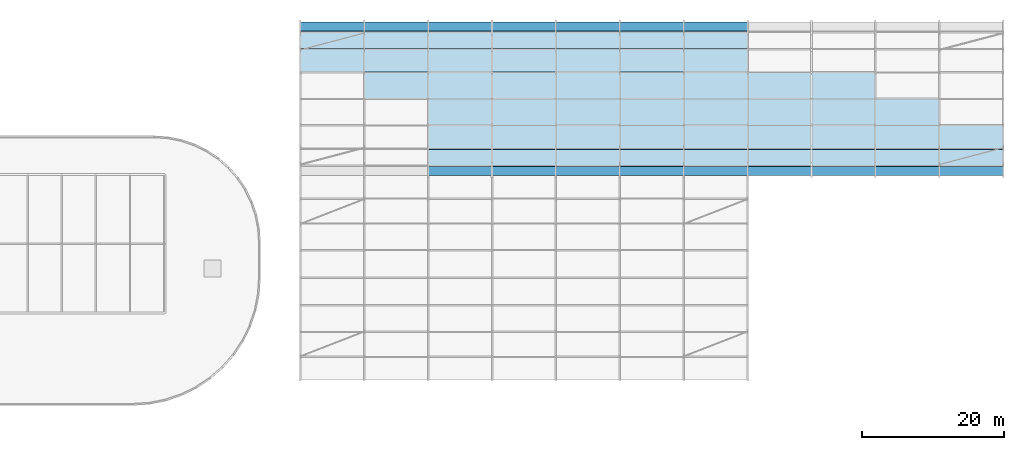
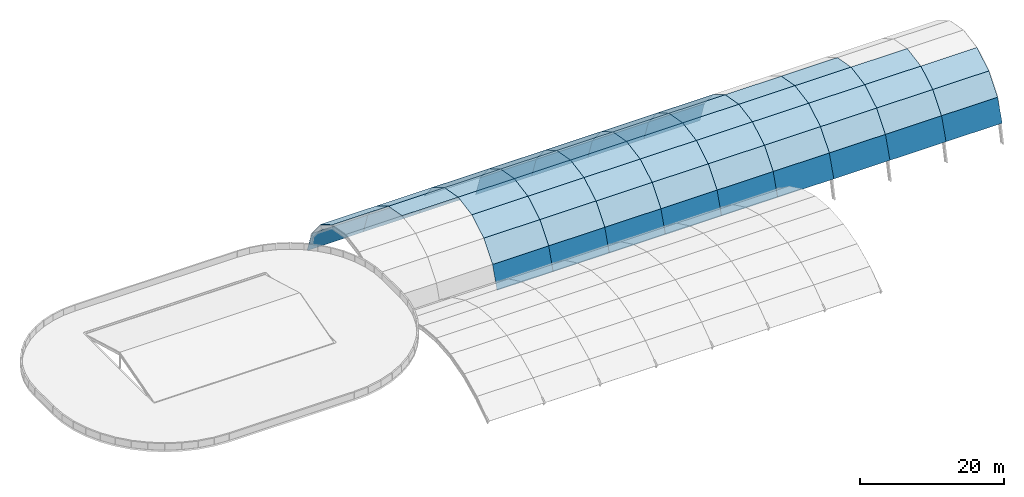
# One storey, part 13 of 15: 64 roofs.
"""IFC4 building model written with IfcOpenShell, lengths in metres."""

from ifc_helpers import new_model, si_unit, direction, frame, origin, place, context, subcontext, project, spatial, polyline, outline, extrude, material, layer, layer_set, type_object, element, save


model = new_model("IFC4")

# Units and contexts
model_context = context("Model", 3, precision=1e-05, world=origin(), true_north=direction((0.0, 1.0)))
body_context = subcontext(model_context, "Body", "Model", "MODEL_VIEW")
ifc_project = project(units=[si_unit("LENGTHUNIT", "METRE"), si_unit("AREAUNIT", "SQUARE_METRE"), si_unit("VOLUMEUNIT", "CUBIC_METRE"), si_unit("PLANEANGLEUNIT", "RADIAN"), si_unit("MASSUNIT", "GRAM", prefix="KILO")], contexts=[model_context])

# Site, building, storey
site_placement = place(None, origin())
site = spatial("IfcSite", under=ifc_project, at=site_placement, CompositionType="ELEMENT")
building_placement = place(site_placement, origin())
building = spatial("IfcBuilding", under=site, at=building_placement, Name="Cendralis Terraced Arcade", CompositionType="ELEMENT")
storey_placement = place(building_placement, frame((0.0, 0.0, 34.199951171875)))
storey = spatial("IfcBuildingStorey", under=building, at=storey_placement, Name="RF", CompositionType="ELEMENT", Elevation=34.199951171875)

# Roofs
ifc_material = material(Name="Tempered solar control laminated glass", Category="glass")
ifc_layer = layer(ifc_material, 0.048095703125, Name="ROOF-BARREL-GLZ")
ifc_layer_set = layer_set([ifc_layer], Name="Tempered solar control laminated glass")
roof_type = type_object("IfcRoofType", Name="ROOF-BARREL-GLZ", PredefinedType="BARREL_ROOF", material=ifc_layer_set)
roof_1_placement = place(storey_placement, frame((67.199951171875, 52.99169921875, -7.230712890625), z_axis=(0.0, 0.506804057178, 0.862061278349), x_axis=(1.0, 0.0, 0.0)))
element("IfcRoof", 1, at=roof_1_placement, inside=storey, type_object=roof_type, Name="Shopping Arcade Barrel Vault Roof Shell B01-F6", PredefinedType="BARREL_ROOF", context=body_context, shape_type="SweptSolid", body=[
    extrude(outline(polyline([(0.0, 0.0), (9.0, 0.0), (9.0, 3.851880050784614), (0.0, 3.851880050784614), (0.0, 0.0)])), origin(), (0.0, 0.0, -1.0), 0.048095703125),
])
roof_2_placement = place(storey_placement, frame((67.199951171875, 56.312255859375, -9.182861328125), z_axis=(0.0, 0.774408938731, 0.632685384385), x_axis=(1.0, 0.0, 0.0)))
element("IfcRoof", 2, at=roof_2_placement, inside=storey, type_object=roof_type, Name="Shopping Arcade Barrel Vault Roof Shell B01-F7", PredefinedType="BARREL_ROOF", context=body_context, shape_type="SweptSolid", body=[
    extrude(outline(polyline([(0.0, 0.0), (9.0, 0.0), (9.0, 3.851853984457903), (0.0, 3.851853984457903), (0.0, 0.0)])), origin(), (0.0, 0.0, -1.0), 0.048095703125),
])
roof_3_placement = place(storey_placement, frame((67.199951171875, 58.749267578125, -12.165771484375), z_axis=(0.0, 0.945818650348, 0.324695365927), x_axis=(1.0, 0.0, 0.0)))
element("IfcRoof", 3, at=roof_3_placement, inside=storey, type_object=roof_type, Name="Shopping Arcade Barrel Vault Roof Shell B01-F8", PredefinedType="BARREL_ROOF", context=body_context, shape_type="SweptSolid", body=[
    extrude(outline(polyline([(0.0, 0.0), (9.0, 0.0), (9.0, 3.852018085640294), (0.0, 3.852018085640294), (0.0, 0.0)])), origin(), (0.0, 0.0, -1.0), 0.048095703125),
])
roof_4_placement = place(storey_placement, frame((76.199951171875, 49.199951171875, -6.552001953125), z_axis=(0.0, 0.176196443672, 0.984355023981), x_axis=(1.0, 0.0, 0.0)))
element("IfcRoof", 4, at=roof_4_placement, inside=storey, type_object=roof_type, Name="Shopping Arcade Barrel Vault Roof Shell B02-F5", PredefinedType="BARREL_ROOF", context=body_context, shape_type="SweptSolid", body=[
    extrude(outline(polyline([(0.0, 0.0), (9.0, 0.0), (9.0, 3.8520126930816962), (0.0, 3.8520126930816962), (0.0, 0.0)])), origin(), (0.0, 0.0, -1.0), 0.048095703125),
])
roof_5_placement = place(storey_placement, frame((76.199951171875, 52.99169921875, -7.230712890625), z_axis=(0.0, 0.506804057178, 0.862061278349), x_axis=(1.0, 0.0, 0.0)))
element("IfcRoof", 5, at=roof_5_placement, inside=storey, type_object=roof_type, Name="Shopping Arcade Barrel Vault Roof Shell B02-F6", PredefinedType="BARREL_ROOF", context=body_context, shape_type="SweptSolid", body=[
    extrude(outline(polyline([(0.0, 0.0), (9.0, 0.0), (9.0, 3.851880050784614), (0.0, 3.851880050784614), (0.0, 0.0)])), origin(), (0.0, 0.0, -1.0), 0.048095703125),
])
roof_6_placement = place(storey_placement, frame((76.199951171875, 56.312255859375, -9.182861328125), z_axis=(0.0, 0.774408938731, 0.632685384385), x_axis=(1.0, 0.0, 0.0)))
element("IfcRoof", 6, at=roof_6_placement, inside=storey, type_object=roof_type, Name="Shopping Arcade Barrel Vault Roof Shell B02-F7", PredefinedType="BARREL_ROOF", context=body_context, shape_type="SweptSolid", body=[
    extrude(outline(polyline([(0.0, 0.0), (9.0, 0.0), (9.0, 3.851853984457903), (0.0, 3.851853984457903), (0.0, 0.0)])), origin(), (0.0, 0.0, -1.0), 0.048095703125),
])
for number, where, z_axis, x_axis, name in (
    (7, (76.199951171875, 58.749267578125, -12.165771484375), (0.0, 0.945818650348, 0.324695365927), (1.0, 0.0, 0.0), "Shopping Arcade Barrel Vault Roof Shell B02-F8"),
    (8, (85.199951171875, 38.39990234375, -15.80908203125), (0.0, -0.945818650348, 0.324695365927), (1.0, 0.0, 0.0), "Shopping Arcade Barrel Vault Roof Shell B03-F1"),
):
    element("IfcRoof", number, at=place(storey_placement, frame(where, z_axis=z_axis, x_axis=x_axis)), inside=storey, type_object=roof_type, Name=name, PredefinedType="BARREL_ROOF", context=body_context, shape_type="SweptSolid", body=[
        extrude(outline(polyline([(0.0, 0.0), (9.0, 0.0), (9.0, 3.852018085640294), (0.0, 3.852018085640294), (0.0, 0.0)])), origin(), (0.0, 0.0, -1.0), 0.048095703125),
    ])
roof_7_placement = place(storey_placement, frame((85.199951171875, 39.650634765625, -12.165771484375), z_axis=(0.0, -0.774377884268, 0.632723393243), x_axis=(1.0, 0.0, 0.0)))
element("IfcRoof", 9, at=roof_7_placement, inside=storey, type_object=roof_type, Name="Shopping Arcade Barrel Vault Roof Shell B03-F2", PredefinedType="BARREL_ROOF", context=body_context, shape_type="SweptSolid", body=[
    extrude(outline(polyline([(0.0, 0.0), (9.0, 0.0), (9.0, 3.852008453302922), (0.0, 3.852008453302922), (0.0, 0.0)])), origin(), (0.0, 0.0, -1.0), 0.048095703125),
])
roof_8_placement = place(storey_placement, frame((85.199951171875, 42.087890625, -9.182861328125), z_axis=(0.0, -0.506804057178, 0.862061278349), x_axis=(1.0, 0.0, 0.0)))
element("IfcRoof", 10, at=roof_8_placement, inside=storey, type_object=roof_type, Name="Shopping Arcade Barrel Vault Roof Shell B03-F3", PredefinedType="BARREL_ROOF", context=body_context, shape_type="SweptSolid", body=[
    extrude(outline(polyline([(0.0, 0.0), (9.0, 0.0), (9.0, 3.851880050784614), (0.0, 3.851880050784614), (0.0, 0.0)])), origin(), (0.0, 0.0, -1.0), 0.048095703125),
])
roof_9_placement = place(storey_placement, frame((85.199951171875, 45.408447265625, -7.230712890625), z_axis=(0.0, -0.176207436967, 0.984353056153), x_axis=(1.0, 0.0, 0.0)))
element("IfcRoof", 11, at=roof_9_placement, inside=storey, type_object=roof_type, Name="Shopping Arcade Barrel Vault Roof Shell B03-F4", PredefinedType="BARREL_ROOF", context=body_context, shape_type="SweptSolid", body=[
    extrude(outline(polyline([(0.0, 0.0), (9.0, 0.0), (9.0, 3.8517723722711263), (0.0, 3.8517723722711263), (0.0, 0.0)])), origin(), (0.0, 0.0, -1.0), 0.048095703125),
])
roof_10_placement = place(storey_placement, frame((85.199951171875, 49.199951171875, -6.552001953125), z_axis=(0.0, 0.176196443672, 0.984355023981), x_axis=(1.0, 0.0, 0.0)))
element("IfcRoof", 12, at=roof_10_placement, inside=storey, type_object=roof_type, Name="Shopping Arcade Barrel Vault Roof Shell B03-F5", PredefinedType="BARREL_ROOF", context=body_context, shape_type="SweptSolid", body=[
    extrude(outline(polyline([(0.0, 0.0), (9.0, 0.0), (9.0, 3.8520126930816962), (0.0, 3.8520126930816962), (0.0, 0.0)])), origin(), (0.0, 0.0, -1.0), 0.048095703125),
])
roof_11_placement = place(storey_placement, frame((85.199951171875, 52.99169921875, -7.230712890625), z_axis=(0.0, 0.506804057178, 0.862061278349), x_axis=(1.0, 0.0, 0.0)))
element("IfcRoof", 13, at=roof_11_placement, inside=storey, type_object=roof_type, Name="Shopping Arcade Barrel Vault Roof Shell B03-F6", PredefinedType="BARREL_ROOF", context=body_context, shape_type="SweptSolid", body=[
    extrude(outline(polyline([(0.0, 0.0), (9.0, 0.0), (9.0, 3.851880050784614), (0.0, 3.851880050784614), (0.0, 0.0)])), origin(), (0.0, 0.0, -1.0), 0.048095703125),
])
roof_12_placement = place(storey_placement, frame((85.199951171875, 56.312255859375, -9.182861328125), z_axis=(0.0, 0.774408938731, 0.632685384385), x_axis=(1.0, 0.0, 0.0)))
element("IfcRoof", 14, at=roof_12_placement, inside=storey, type_object=roof_type, Name="Shopping Arcade Barrel Vault Roof Shell B03-F7", PredefinedType="BARREL_ROOF", context=body_context, shape_type="SweptSolid", body=[
    extrude(outline(polyline([(0.0, 0.0), (9.0, 0.0), (9.0, 3.851853984457903), (0.0, 3.851853984457903), (0.0, 0.0)])), origin(), (0.0, 0.0, -1.0), 0.048095703125),
])
for number, where, z_axis, x_axis, name in (
    (15, (85.199951171875, 58.749267578125, -12.165771484375), (0.0, 0.945818650348, 0.324695365927), (1.0, 0.0, 0.0), "Shopping Arcade Barrel Vault Roof Shell B03-F8"),
    (16, (94.199951171875, 38.39990234375, -15.80908203125), (0.0, -0.945818650348, 0.324695365927), (1.0, 0.0, 0.0), "Shopping Arcade Barrel Vault Roof Shell B04-F1"),
):
    element("IfcRoof", number, at=place(storey_placement, frame(where, z_axis=z_axis, x_axis=x_axis)), inside=storey, type_object=roof_type, Name=name, PredefinedType="BARREL_ROOF", context=body_context, shape_type="SweptSolid", body=[
        extrude(outline(polyline([(0.0, 0.0), (9.0, 0.0), (9.0, 3.852018085640294), (0.0, 3.852018085640294), (0.0, 0.0)])), origin(), (0.0, 0.0, -1.0), 0.048095703125),
    ])
roof_13_placement = place(storey_placement, frame((94.199951171875, 39.650634765625, -12.165771484375), z_axis=(0.0, -0.774377884268, 0.632723393243), x_axis=(1.0, 0.0, 0.0)))
element("IfcRoof", 17, at=roof_13_placement, inside=storey, type_object=roof_type, Name="Shopping Arcade Barrel Vault Roof Shell B04-F2", PredefinedType="BARREL_ROOF", context=body_context, shape_type="SweptSolid", body=[
    extrude(outline(polyline([(0.0, 0.0), (9.0, 0.0), (9.0, 3.852008453302922), (0.0, 3.852008453302922), (0.0, 0.0)])), origin(), (0.0, 0.0, -1.0), 0.048095703125),
])
roof_14_placement = place(storey_placement, frame((94.199951171875, 42.087890625, -9.182861328125), z_axis=(0.0, -0.506804057178, 0.862061278349), x_axis=(1.0, 0.0, 0.0)))
element("IfcRoof", 18, at=roof_14_placement, inside=storey, type_object=roof_type, Name="Shopping Arcade Barrel Vault Roof Shell B04-F3", PredefinedType="BARREL_ROOF", context=body_context, shape_type="SweptSolid", body=[
    extrude(outline(polyline([(0.0, 0.0), (9.0, 0.0), (9.0, 3.851880050784614), (0.0, 3.851880050784614), (0.0, 0.0)])), origin(), (0.0, 0.0, -1.0), 0.048095703125),
])
roof_15_placement = place(storey_placement, frame((94.199951171875, 45.408447265625, -7.230712890625), z_axis=(0.0, -0.176207436967, 0.984353056153), x_axis=(1.0, 0.0, 0.0)))
element("IfcRoof", 19, at=roof_15_placement, inside=storey, type_object=roof_type, Name="Shopping Arcade Barrel Vault Roof Shell B04-F4", PredefinedType="BARREL_ROOF", context=body_context, shape_type="SweptSolid", body=[
    extrude(outline(polyline([(0.0, 0.0), (9.0, 0.0), (9.0, 3.8517723722711263), (0.0, 3.8517723722711263), (0.0, 0.0)])), origin(), (0.0, 0.0, -1.0), 0.048095703125),
])
roof_16_placement = place(storey_placement, frame((94.199951171875, 49.199951171875, -6.552001953125), z_axis=(0.0, 0.176196443672, 0.984355023981), x_axis=(1.0, 0.0, 0.0)))
element("IfcRoof", 20, at=roof_16_placement, inside=storey, type_object=roof_type, Name="Shopping Arcade Barrel Vault Roof Shell B04-F5", PredefinedType="BARREL_ROOF", context=body_context, shape_type="SweptSolid", body=[
    extrude(outline(polyline([(0.0, 0.0), (9.0, 0.0), (9.0, 3.8520126930816962), (0.0, 3.8520126930816962), (0.0, 0.0)])), origin(), (0.0, 0.0, -1.0), 0.048095703125),
])
roof_17_placement = place(storey_placement, frame((94.199951171875, 52.99169921875, -7.230712890625), z_axis=(0.0, 0.506804057178, 0.862061278349), x_axis=(1.0, 0.0, 0.0)))
element("IfcRoof", 21, at=roof_17_placement, inside=storey, type_object=roof_type, Name="Shopping Arcade Barrel Vault Roof Shell B04-F6", PredefinedType="BARREL_ROOF", context=body_context, shape_type="SweptSolid", body=[
    extrude(outline(polyline([(0.0, 0.0), (9.0, 0.0), (9.0, 3.851880050784614), (0.0, 3.851880050784614), (0.0, 0.0)])), origin(), (0.0, 0.0, -1.0), 0.048095703125),
])
roof_18_placement = place(storey_placement, frame((94.199951171875, 56.312255859375, -9.182861328125), z_axis=(0.0, 0.774408938731, 0.632685384385), x_axis=(1.0, 0.0, 0.0)))
element("IfcRoof", 22, at=roof_18_placement, inside=storey, type_object=roof_type, Name="Shopping Arcade Barrel Vault Roof Shell B04-F7", PredefinedType="BARREL_ROOF", context=body_context, shape_type="SweptSolid", body=[
    extrude(outline(polyline([(0.0, 0.0), (9.0, 0.0), (9.0, 3.851853984457903), (0.0, 3.851853984457903), (0.0, 0.0)])), origin(), (0.0, 0.0, -1.0), 0.048095703125),
])
for number, where, z_axis, x_axis, name in (
    (23, (94.199951171875, 58.749267578125, -12.165771484375), (0.0, 0.945818650348, 0.324695365927), (1.0, 0.0, 0.0), "Shopping Arcade Barrel Vault Roof Shell B04-F8"),
    (24, (103.199951171875, 38.39990234375, -15.80908203125), (0.0, -0.945818650348, 0.324695365927), (1.0, 0.0, 0.0), "Shopping Arcade Barrel Vault Roof Shell B05-F1"),
):
    element("IfcRoof", number, at=place(storey_placement, frame(where, z_axis=z_axis, x_axis=x_axis)), inside=storey, type_object=roof_type, Name=name, PredefinedType="BARREL_ROOF", context=body_context, shape_type="SweptSolid", body=[
        extrude(outline(polyline([(0.0, 0.0), (9.0, 0.0), (9.0, 3.852018085640294), (0.0, 3.852018085640294), (0.0, 0.0)])), origin(), (0.0, 0.0, -1.0), 0.048095703125),
    ])
roof_19_placement = place(storey_placement, frame((103.199951171875, 39.650634765625, -12.165771484375), z_axis=(0.0, -0.774377884268, 0.632723393243), x_axis=(1.0, 0.0, 0.0)))
element("IfcRoof", 25, at=roof_19_placement, inside=storey, type_object=roof_type, Name="Shopping Arcade Barrel Vault Roof Shell B05-F2", PredefinedType="BARREL_ROOF", context=body_context, shape_type="SweptSolid", body=[
    extrude(outline(polyline([(0.0, 0.0), (9.0, 0.0), (9.0, 3.852008453302922), (0.0, 3.852008453302922), (0.0, 0.0)])), origin(), (0.0, 0.0, -1.0), 0.048095703125),
])
roof_20_placement = place(storey_placement, frame((103.199951171875, 42.087890625, -9.182861328125), z_axis=(0.0, -0.506804057178, 0.862061278349), x_axis=(1.0, 0.0, 0.0)))
element("IfcRoof", 26, at=roof_20_placement, inside=storey, type_object=roof_type, Name="Shopping Arcade Barrel Vault Roof Shell B05-F3", PredefinedType="BARREL_ROOF", context=body_context, shape_type="SweptSolid", body=[
    extrude(outline(polyline([(0.0, 0.0), (9.0, 0.0), (9.0, 3.851880050784614), (0.0, 3.851880050784614), (0.0, 0.0)])), origin(), (0.0, 0.0, -1.0), 0.048095703125),
])
roof_21_placement = place(storey_placement, frame((103.199951171875, 45.408447265625, -7.230712890625), z_axis=(0.0, -0.176207436967, 0.984353056153), x_axis=(1.0, 0.0, 0.0)))
element("IfcRoof", 27, at=roof_21_placement, inside=storey, type_object=roof_type, Name="Shopping Arcade Barrel Vault Roof Shell B05-F4", PredefinedType="BARREL_ROOF", context=body_context, shape_type="SweptSolid", body=[
    extrude(outline(polyline([(0.0, 0.0), (9.0, 0.0), (9.0, 3.8517723722711263), (0.0, 3.8517723722711263), (0.0, 0.0)])), origin(), (0.0, 0.0, -1.0), 0.048095703125),
])
roof_22_placement = place(storey_placement, frame((103.199951171875, 49.199951171875, -6.552001953125), z_axis=(0.0, 0.176196443672, 0.984355023981), x_axis=(1.0, 0.0, 0.0)))
element("IfcRoof", 28, at=roof_22_placement, inside=storey, type_object=roof_type, Name="Shopping Arcade Barrel Vault Roof Shell B05-F5", PredefinedType="BARREL_ROOF", context=body_context, shape_type="SweptSolid", body=[
    extrude(outline(polyline([(0.0, 0.0), (9.0, 0.0), (9.0, 3.8520126930816962), (0.0, 3.8520126930816962), (0.0, 0.0)])), origin(), (0.0, 0.0, -1.0), 0.048095703125),
])
roof_23_placement = place(storey_placement, frame((103.199951171875, 52.99169921875, -7.230712890625), z_axis=(0.0, 0.506804057178, 0.862061278349), x_axis=(1.0, 0.0, 0.0)))
element("IfcRoof", 29, at=roof_23_placement, inside=storey, type_object=roof_type, Name="Shopping Arcade Barrel Vault Roof Shell B05-F6", PredefinedType="BARREL_ROOF", context=body_context, shape_type="SweptSolid", body=[
    extrude(outline(polyline([(0.0, 0.0), (9.0, 0.0), (9.0, 3.851880050784614), (0.0, 3.851880050784614), (0.0, 0.0)])), origin(), (0.0, 0.0, -1.0), 0.048095703125),
])
roof_24_placement = place(storey_placement, frame((103.199951171875, 56.312255859375, -9.182861328125), z_axis=(0.0, 0.774408938731, 0.632685384385), x_axis=(1.0, 0.0, 0.0)))
element("IfcRoof", 30, at=roof_24_placement, inside=storey, type_object=roof_type, Name="Shopping Arcade Barrel Vault Roof Shell B05-F7", PredefinedType="BARREL_ROOF", context=body_context, shape_type="SweptSolid", body=[
    extrude(outline(polyline([(0.0, 0.0), (9.0, 0.0), (9.0, 3.851853984457903), (0.0, 3.851853984457903), (0.0, 0.0)])), origin(), (0.0, 0.0, -1.0), 0.048095703125),
])
for number, where, z_axis, x_axis, name in (
    (31, (103.199951171875, 58.749267578125, -12.165771484375), (0.0, 0.945818650348, 0.324695365927), (1.0, 0.0, 0.0), "Shopping Arcade Barrel Vault Roof Shell B05-F8"),
    (32, (112.199951171875, 38.39990234375, -15.80908203125), (0.0, -0.945818650348, 0.324695365927), (1.0, 0.0, 0.0), "Shopping Arcade Barrel Vault Roof Shell B06-F1"),
):
    element("IfcRoof", number, at=place(storey_placement, frame(where, z_axis=z_axis, x_axis=x_axis)), inside=storey, type_object=roof_type, Name=name, PredefinedType="BARREL_ROOF", context=body_context, shape_type="SweptSolid", body=[
        extrude(outline(polyline([(0.0, 0.0), (9.0, 0.0), (9.0, 3.852018085640294), (0.0, 3.852018085640294), (0.0, 0.0)])), origin(), (0.0, 0.0, -1.0), 0.048095703125),
    ])
roof_25_placement = place(storey_placement, frame((112.199951171875, 39.650634765625, -12.165771484375), z_axis=(0.0, -0.774377884268, 0.632723393243), x_axis=(1.0, 0.0, 0.0)))
element("IfcRoof", 33, at=roof_25_placement, inside=storey, type_object=roof_type, Name="Shopping Arcade Barrel Vault Roof Shell B06-F2", PredefinedType="BARREL_ROOF", context=body_context, shape_type="SweptSolid", body=[
    extrude(outline(polyline([(0.0, 0.0), (9.0, 0.0), (9.0, 3.852008453302922), (0.0, 3.852008453302922), (0.0, 0.0)])), origin(), (0.0, 0.0, -1.0), 0.048095703125),
])
roof_26_placement = place(storey_placement, frame((112.199951171875, 42.087890625, -9.182861328125), z_axis=(0.0, -0.506804057178, 0.862061278349), x_axis=(1.0, 0.0, 0.0)))
element("IfcRoof", 34, at=roof_26_placement, inside=storey, type_object=roof_type, Name="Shopping Arcade Barrel Vault Roof Shell B06-F3", PredefinedType="BARREL_ROOF", context=body_context, shape_type="SweptSolid", body=[
    extrude(outline(polyline([(0.0, 0.0), (9.0, 0.0), (9.0, 3.851880050784614), (0.0, 3.851880050784614), (0.0, 0.0)])), origin(), (0.0, 0.0, -1.0), 0.048095703125),
])
roof_27_placement = place(storey_placement, frame((112.199951171875, 45.408447265625, -7.230712890625), z_axis=(0.0, -0.176207436967, 0.984353056153), x_axis=(1.0, 0.0, 0.0)))
element("IfcRoof", 35, at=roof_27_placement, inside=storey, type_object=roof_type, Name="Shopping Arcade Barrel Vault Roof Shell B06-F4", PredefinedType="BARREL_ROOF", context=body_context, shape_type="SweptSolid", body=[
    extrude(outline(polyline([(0.0, 0.0), (9.0, 0.0), (9.0, 3.8517723722711263), (0.0, 3.8517723722711263), (0.0, 0.0)])), origin(), (0.0, 0.0, -1.0), 0.048095703125),
])
roof_28_placement = place(storey_placement, frame((112.199951171875, 49.199951171875, -6.552001953125), z_axis=(0.0, 0.176196443672, 0.984355023981), x_axis=(1.0, 0.0, 0.0)))
element("IfcRoof", 36, at=roof_28_placement, inside=storey, type_object=roof_type, Name="Shopping Arcade Barrel Vault Roof Shell B06-F5", PredefinedType="BARREL_ROOF", context=body_context, shape_type="SweptSolid", body=[
    extrude(outline(polyline([(0.0, 0.0), (9.0, 0.0), (9.0, 3.8520126930816962), (0.0, 3.8520126930816962), (0.0, 0.0)])), origin(), (0.0, 0.0, -1.0), 0.048095703125),
])
roof_29_placement = place(storey_placement, frame((112.199951171875, 52.99169921875, -7.230712890625), z_axis=(0.0, 0.506804057178, 0.862061278349), x_axis=(1.0, 0.0, 0.0)))
element("IfcRoof", 37, at=roof_29_placement, inside=storey, type_object=roof_type, Name="Shopping Arcade Barrel Vault Roof Shell B06-F6", PredefinedType="BARREL_ROOF", context=body_context, shape_type="SweptSolid", body=[
    extrude(outline(polyline([(0.0, 0.0), (9.0, 0.0), (9.0, 3.851880050784614), (0.0, 3.851880050784614), (0.0, 0.0)])), origin(), (0.0, 0.0, -1.0), 0.048095703125),
])
roof_30_placement = place(storey_placement, frame((112.199951171875, 56.312255859375, -9.182861328125), z_axis=(0.0, 0.774408938731, 0.632685384385), x_axis=(1.0, 0.0, 0.0)))
element("IfcRoof", 38, at=roof_30_placement, inside=storey, type_object=roof_type, Name="Shopping Arcade Barrel Vault Roof Shell B06-F7", PredefinedType="BARREL_ROOF", context=body_context, shape_type="SweptSolid", body=[
    extrude(outline(polyline([(0.0, 0.0), (9.0, 0.0), (9.0, 3.851853984457903), (0.0, 3.851853984457903), (0.0, 0.0)])), origin(), (0.0, 0.0, -1.0), 0.048095703125),
])
for number, where, z_axis, x_axis, name in (
    (39, (112.199951171875, 58.749267578125, -12.165771484375), (0.0, 0.945818650348, 0.324695365927), (1.0, 0.0, 0.0), "Shopping Arcade Barrel Vault Roof Shell B06-F8"),
    (40, (121.199951171875, 38.39990234375, -15.80908203125), (0.0, -0.945818650348, 0.324695365927), (1.0, 0.0, 0.0), "Shopping Arcade Barrel Vault Roof Shell B07-F1"),
):
    element("IfcRoof", number, at=place(storey_placement, frame(where, z_axis=z_axis, x_axis=x_axis)), inside=storey, type_object=roof_type, Name=name, PredefinedType="BARREL_ROOF", context=body_context, shape_type="SweptSolid", body=[
        extrude(outline(polyline([(0.0, 0.0), (9.0, 0.0), (9.0, 3.852018085640294), (0.0, 3.852018085640294), (0.0, 0.0)])), origin(), (0.0, 0.0, -1.0), 0.048095703125),
    ])
roof_31_placement = place(storey_placement, frame((121.199951171875, 39.650634765625, -12.165771484375), z_axis=(0.0, -0.774377884268, 0.632723393243), x_axis=(1.0, 0.0, 0.0)))
element("IfcRoof", 41, at=roof_31_placement, inside=storey, type_object=roof_type, Name="Shopping Arcade Barrel Vault Roof Shell B07-F2", PredefinedType="BARREL_ROOF", context=body_context, shape_type="SweptSolid", body=[
    extrude(outline(polyline([(0.0, 0.0), (9.0, 0.0), (9.0, 3.852008453302922), (0.0, 3.852008453302922), (0.0, 0.0)])), origin(), (0.0, 0.0, -1.0), 0.048095703125),
])
roof_32_placement = place(storey_placement, frame((121.199951171875, 42.087890625, -9.182861328125), z_axis=(0.0, -0.506804057178, 0.862061278349), x_axis=(1.0, 0.0, 0.0)))
element("IfcRoof", 42, at=roof_32_placement, inside=storey, type_object=roof_type, Name="Shopping Arcade Barrel Vault Roof Shell B07-F3", PredefinedType="BARREL_ROOF", context=body_context, shape_type="SweptSolid", body=[
    extrude(outline(polyline([(0.0, 0.0), (9.0, 0.0), (9.0, 3.851880050784614), (0.0, 3.851880050784614), (0.0, 0.0)])), origin(), (0.0, 0.0, -1.0), 0.048095703125),
])
roof_33_placement = place(storey_placement, frame((121.199951171875, 45.408447265625, -7.230712890625), z_axis=(0.0, -0.176207436967, 0.984353056153), x_axis=(1.0, 0.0, 0.0)))
element("IfcRoof", 43, at=roof_33_placement, inside=storey, type_object=roof_type, Name="Shopping Arcade Barrel Vault Roof Shell B07-F4", PredefinedType="BARREL_ROOF", context=body_context, shape_type="SweptSolid", body=[
    extrude(outline(polyline([(0.0, 0.0), (9.0, 0.0), (9.0, 3.8517723722711263), (0.0, 3.8517723722711263), (0.0, 0.0)])), origin(), (0.0, 0.0, -1.0), 0.048095703125),
])
roof_34_placement = place(storey_placement, frame((121.199951171875, 49.199951171875, -6.552001953125), z_axis=(0.0, 0.176196443672, 0.984355023981), x_axis=(1.0, 0.0, 0.0)))
element("IfcRoof", 44, at=roof_34_placement, inside=storey, type_object=roof_type, Name="Shopping Arcade Barrel Vault Roof Shell B07-F5", PredefinedType="BARREL_ROOF", context=body_context, shape_type="SweptSolid", body=[
    extrude(outline(polyline([(0.0, 0.0), (9.0, 0.0), (9.0, 3.8520126930816962), (0.0, 3.8520126930816962), (0.0, 0.0)])), origin(), (0.0, 0.0, -1.0), 0.048095703125),
])
roof_35_placement = place(storey_placement, frame((121.199951171875, 52.99169921875, -7.230712890625), z_axis=(0.0, 0.506804057178, 0.862061278349), x_axis=(1.0, 0.0, 0.0)))
element("IfcRoof", 45, at=roof_35_placement, inside=storey, type_object=roof_type, Name="Shopping Arcade Barrel Vault Roof Shell B07-F6", PredefinedType="BARREL_ROOF", context=body_context, shape_type="SweptSolid", body=[
    extrude(outline(polyline([(0.0, 0.0), (9.0, 0.0), (9.0, 3.851880050784614), (0.0, 3.851880050784614), (0.0, 0.0)])), origin(), (0.0, 0.0, -1.0), 0.048095703125),
])
roof_36_placement = place(storey_placement, frame((121.199951171875, 56.312255859375, -9.182861328125), z_axis=(0.0, 0.774408938731, 0.632685384385), x_axis=(1.0, 0.0, 0.0)))
element("IfcRoof", 46, at=roof_36_placement, inside=storey, type_object=roof_type, Name="Shopping Arcade Barrel Vault Roof Shell B07-F7", PredefinedType="BARREL_ROOF", context=body_context, shape_type="SweptSolid", body=[
    extrude(outline(polyline([(0.0, 0.0), (9.0, 0.0), (9.0, 3.851853984457903), (0.0, 3.851853984457903), (0.0, 0.0)])), origin(), (0.0, 0.0, -1.0), 0.048095703125),
])
for number, where, z_axis, x_axis, name in (
    (47, (121.199951171875, 58.749267578125, -12.165771484375), (0.0, 0.945818650348, 0.324695365927), (1.0, 0.0, 0.0), "Shopping Arcade Barrel Vault Roof Shell B07-F8"),
    (48, (130.199951171875, 38.39990234375, -15.80908203125), (0.0, -0.945818650348, 0.324695365927), (1.0, 0.0, 0.0), "Shopping Arcade Barrel Vault Roof Shell B08-F1"),
):
    element("IfcRoof", number, at=place(storey_placement, frame(where, z_axis=z_axis, x_axis=x_axis)), inside=storey, type_object=roof_type, Name=name, PredefinedType="BARREL_ROOF", context=body_context, shape_type="SweptSolid", body=[
        extrude(outline(polyline([(0.0, 0.0), (9.0, 0.0), (9.0, 3.852018085640294), (0.0, 3.852018085640294), (0.0, 0.0)])), origin(), (0.0, 0.0, -1.0), 0.048095703125),
    ])
roof_37_placement = place(storey_placement, frame((130.199951171875, 39.650634765625, -12.165771484375), z_axis=(0.0, -0.774377884268, 0.632723393243), x_axis=(1.0, 0.0, 0.0)))
element("IfcRoof", 49, at=roof_37_placement, inside=storey, type_object=roof_type, Name="Shopping Arcade Barrel Vault Roof Shell B08-F2", PredefinedType="BARREL_ROOF", context=body_context, shape_type="SweptSolid", body=[
    extrude(outline(polyline([(0.0, 0.0), (9.0, 0.0), (9.0, 3.852008453302922), (0.0, 3.852008453302922), (0.0, 0.0)])), origin(), (0.0, 0.0, -1.0), 0.048095703125),
])
roof_38_placement = place(storey_placement, frame((130.199951171875, 42.087890625, -9.182861328125), z_axis=(0.0, -0.506804057178, 0.862061278349), x_axis=(1.0, 0.0, 0.0)))
element("IfcRoof", 50, at=roof_38_placement, inside=storey, type_object=roof_type, Name="Shopping Arcade Barrel Vault Roof Shell B08-F3", PredefinedType="BARREL_ROOF", context=body_context, shape_type="SweptSolid", body=[
    extrude(outline(polyline([(0.0, 0.0), (9.0, 0.0), (9.0, 3.851880050784614), (0.0, 3.851880050784614), (0.0, 0.0)])), origin(), (0.0, 0.0, -1.0), 0.048095703125),
])
roof_39_placement = place(storey_placement, frame((130.199951171875, 45.408447265625, -7.230712890625), z_axis=(0.0, -0.176207436967, 0.984353056153), x_axis=(1.0, 0.0, 0.0)))
element("IfcRoof", 51, at=roof_39_placement, inside=storey, type_object=roof_type, Name="Shopping Arcade Barrel Vault Roof Shell B08-F4", PredefinedType="BARREL_ROOF", context=body_context, shape_type="SweptSolid", body=[
    extrude(outline(polyline([(0.0, 0.0), (9.0, 0.0), (9.0, 3.8517723722711263), (0.0, 3.8517723722711263), (0.0, 0.0)])), origin(), (0.0, 0.0, -1.0), 0.048095703125),
])
roof_40_placement = place(storey_placement, frame((130.199951171875, 49.199951171875, -6.552001953125), z_axis=(0.0, 0.176196443672, 0.984355023981), x_axis=(1.0, 0.0, 0.0)))
element("IfcRoof", 52, at=roof_40_placement, inside=storey, type_object=roof_type, Name="Shopping Arcade Barrel Vault Roof Shell B08-F5", PredefinedType="BARREL_ROOF", context=body_context, shape_type="SweptSolid", body=[
    extrude(outline(polyline([(0.0, 0.0), (9.0, 0.0), (9.0, 3.8520126930816962), (0.0, 3.8520126930816962), (0.0, 0.0)])), origin(), (0.0, 0.0, -1.0), 0.048095703125),
])
roof_41_placement = place(storey_placement, frame((139.199951171875, 38.39990234375, -15.80908203125), z_axis=(0.0, -0.945818650348, 0.324695365927), x_axis=(1.0, 0.0, 0.0)))
element("IfcRoof", 53, at=roof_41_placement, inside=storey, type_object=roof_type, Name="Shopping Arcade Barrel Vault Roof Shell B09-F1", PredefinedType="BARREL_ROOF", context=body_context, shape_type="SweptSolid", body=[
    extrude(outline(polyline([(0.0, 0.0), (9.0, 0.0), (9.0, 3.852018085640294), (0.0, 3.852018085640294), (0.0, 0.0)])), origin(), (0.0, 0.0, -1.0), 0.048095703125),
])
roof_42_placement = place(storey_placement, frame((139.199951171875, 39.650634765625, -12.165771484375), z_axis=(0.0, -0.774377884268, 0.632723393243), x_axis=(1.0, 0.0, 0.0)))
element("IfcRoof", 54, at=roof_42_placement, inside=storey, type_object=roof_type, Name="Shopping Arcade Barrel Vault Roof Shell B09-F2", PredefinedType="BARREL_ROOF", context=body_context, shape_type="SweptSolid", body=[
    extrude(outline(polyline([(0.0, 0.0), (9.0, 0.0), (9.0, 3.852008453302922), (0.0, 3.852008453302922), (0.0, 0.0)])), origin(), (0.0, 0.0, -1.0), 0.048095703125),
])
roof_43_placement = place(storey_placement, frame((139.199951171875, 42.087890625, -9.182861328125), z_axis=(0.0, -0.506804057178, 0.862061278349), x_axis=(1.0, 0.0, 0.0)))
element("IfcRoof", 55, at=roof_43_placement, inside=storey, type_object=roof_type, Name="Shopping Arcade Barrel Vault Roof Shell B09-F3", PredefinedType="BARREL_ROOF", context=body_context, shape_type="SweptSolid", body=[
    extrude(outline(polyline([(0.0, 0.0), (9.0, 0.0), (9.0, 3.851880050784614), (0.0, 3.851880050784614), (0.0, 0.0)])), origin(), (0.0, 0.0, -1.0), 0.048095703125),
])
roof_44_placement = place(storey_placement, frame((139.199951171875, 45.408447265625, -7.230712890625), z_axis=(0.0, -0.176207436967, 0.984353056153), x_axis=(1.0, 0.0, 0.0)))
element("IfcRoof", 56, at=roof_44_placement, inside=storey, type_object=roof_type, Name="Shopping Arcade Barrel Vault Roof Shell B09-F4", PredefinedType="BARREL_ROOF", context=body_context, shape_type="SweptSolid", body=[
    extrude(outline(polyline([(0.0, 0.0), (9.0, 0.0), (9.0, 3.8517723722711263), (0.0, 3.8517723722711263), (0.0, 0.0)])), origin(), (0.0, 0.0, -1.0), 0.048095703125),
])
roof_45_placement = place(storey_placement, frame((139.199951171875, 49.199951171875, -6.552001953125), z_axis=(0.0, 0.176196443672, 0.984355023981), x_axis=(1.0, 0.0, 0.0)))
element("IfcRoof", 57, at=roof_45_placement, inside=storey, type_object=roof_type, Name="Shopping Arcade Barrel Vault Roof Shell B09-F5", PredefinedType="BARREL_ROOF", context=body_context, shape_type="SweptSolid", body=[
    extrude(outline(polyline([(0.0, 0.0), (9.0, 0.0), (9.0, 3.8520126930816962), (0.0, 3.8520126930816962), (0.0, 0.0)])), origin(), (0.0, 0.0, -1.0), 0.048095703125),
])
roof_46_placement = place(storey_placement, frame((148.199951171875, 38.39990234375, -15.80908203125), z_axis=(0.0, -0.945818650348, 0.324695365927), x_axis=(1.0, 0.0, 0.0)))
element("IfcRoof", 58, at=roof_46_placement, inside=storey, type_object=roof_type, Name="Shopping Arcade Barrel Vault Roof Shell B10-F1", PredefinedType="BARREL_ROOF", context=body_context, shape_type="SweptSolid", body=[
    extrude(outline(polyline([(0.0, 0.0), (9.0, 0.0), (9.0, 3.852018085640294), (0.0, 3.852018085640294), (0.0, 0.0)])), origin(), (0.0, 0.0, -1.0), 0.048095703125),
])
roof_47_placement = place(storey_placement, frame((148.199951171875, 39.650634765625, -12.165771484375), z_axis=(0.0, -0.774377884268, 0.632723393243), x_axis=(1.0, 0.0, 0.0)))
element("IfcRoof", 59, at=roof_47_placement, inside=storey, type_object=roof_type, Name="Shopping Arcade Barrel Vault Roof Shell B10-F2", PredefinedType="BARREL_ROOF", context=body_context, shape_type="SweptSolid", body=[
    extrude(outline(polyline([(0.0, 0.0), (9.0, 0.0), (9.0, 3.852008453302922), (0.0, 3.852008453302922), (0.0, 0.0)])), origin(), (0.0, 0.0, -1.0), 0.048095703125),
])
roof_48_placement = place(storey_placement, frame((148.199951171875, 42.087890625, -9.182861328125), z_axis=(0.0, -0.506804057178, 0.862061278349), x_axis=(1.0, 0.0, 0.0)))
element("IfcRoof", 60, at=roof_48_placement, inside=storey, type_object=roof_type, Name="Shopping Arcade Barrel Vault Roof Shell B10-F3", PredefinedType="BARREL_ROOF", context=body_context, shape_type="SweptSolid", body=[
    extrude(outline(polyline([(0.0, 0.0), (9.0, 0.0), (9.0, 3.851880050784614), (0.0, 3.851880050784614), (0.0, 0.0)])), origin(), (0.0, 0.0, -1.0), 0.048095703125),
])
roof_49_placement = place(storey_placement, frame((148.199951171875, 45.408447265625, -7.230712890625), z_axis=(0.0, -0.176207436967, 0.984353056153), x_axis=(1.0, 0.0, 0.0)))
element("IfcRoof", 61, at=roof_49_placement, inside=storey, type_object=roof_type, Name="Shopping Arcade Barrel Vault Roof Shell B10-F4", PredefinedType="BARREL_ROOF", context=body_context, shape_type="SweptSolid", body=[
    extrude(outline(polyline([(0.0, 0.0), (9.0, 0.0), (9.0, 3.8517723722711263), (0.0, 3.8517723722711263), (0.0, 0.0)])), origin(), (0.0, 0.0, -1.0), 0.048095703125),
])
roof_50_placement = place(storey_placement, frame((157.199951171875, 38.39990234375, -15.80908203125), z_axis=(0.0, -0.945818650348, 0.324695365927), x_axis=(1.0, 0.0, 0.0)))
element("IfcRoof", 62, at=roof_50_placement, inside=storey, type_object=roof_type, Name="Shopping Arcade Barrel Vault Roof Shell B11-F1", PredefinedType="BARREL_ROOF", context=body_context, shape_type="SweptSolid", body=[
    extrude(outline(polyline([(0.0, 0.0), (9.0, 0.0), (9.0, 3.852018085640294), (0.0, 3.852018085640294), (0.0, 0.0)])), origin(), (0.0, 0.0, -1.0), 0.048095703125),
])
roof_51_placement = place(storey_placement, frame((157.199951171875, 39.650634765625, -12.165771484375), z_axis=(0.0, -0.774377884268, 0.632723393243), x_axis=(1.0, 0.0, 0.0)))
element("IfcRoof", 63, at=roof_51_placement, inside=storey, type_object=roof_type, Name="Shopping Arcade Barrel Vault Roof Shell B11-F2", PredefinedType="BARREL_ROOF", context=body_context, shape_type="SweptSolid", body=[
    extrude(outline(polyline([(0.0, 0.0), (9.0, 0.0), (9.0, 3.852008453302922), (0.0, 3.852008453302922), (0.0, 0.0)])), origin(), (0.0, 0.0, -1.0), 0.048095703125),
])
roof_52_placement = place(storey_placement, frame((157.199951171875, 42.087890625, -9.182861328125), z_axis=(0.0, -0.506804057178, 0.862061278349), x_axis=(1.0, 0.0, 0.0)))
element("IfcRoof", 64, at=roof_52_placement, inside=storey, type_object=roof_type, Name="Shopping Arcade Barrel Vault Roof Shell B11-F3", PredefinedType="BARREL_ROOF", context=body_context, shape_type="SweptSolid", body=[
    extrude(outline(polyline([(0.0, 0.0), (9.0, 0.0), (9.0, 3.851880050784614), (0.0, 3.851880050784614), (0.0, 0.0)])), origin(), (0.0, 0.0, -1.0), 0.048095703125),
])

save(model, "model.ifc")
